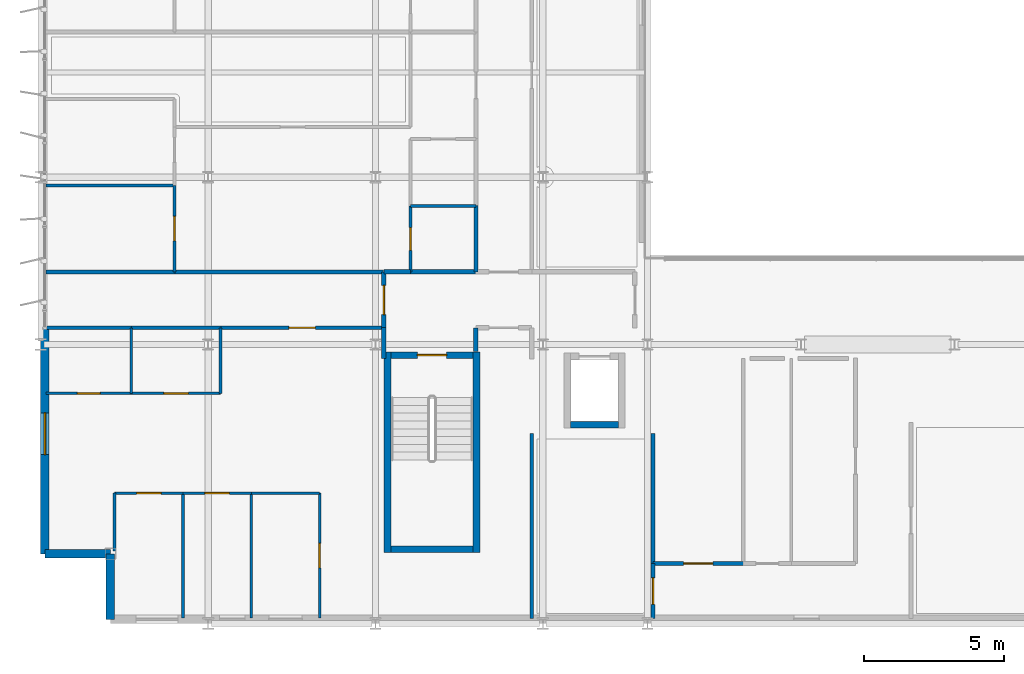
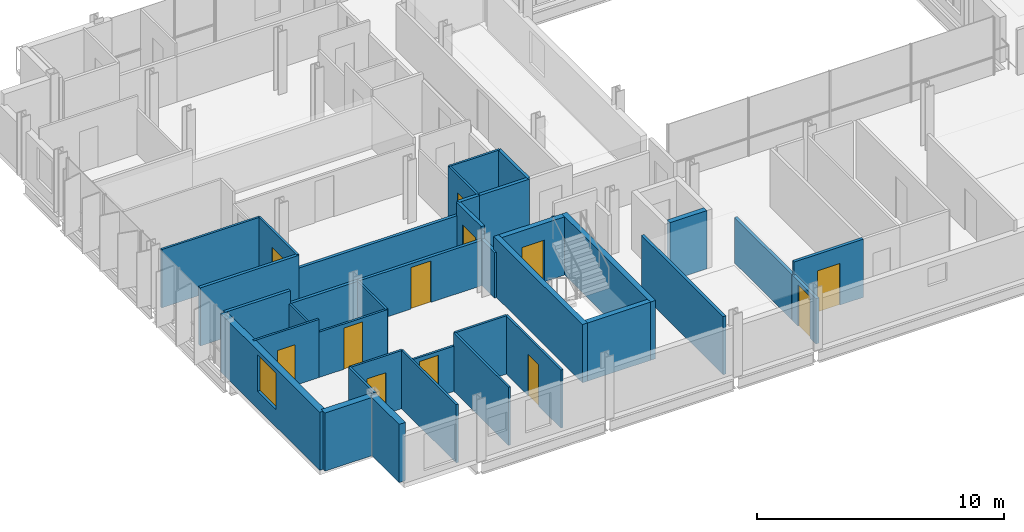
# One storey, part 29 of 40: 38 walls, 12 doors, 1 window, 13 openings.
"""IFC4 building model written with IfcOpenShell, lengths in metres."""

from ifc_helpers import new_model, si_unit, direction, frame, frame_2d, origin, place, context, subcontext, project, spatial, rectangle, extrude, material, layer, layer_set, type_object, element, fill, save


model = new_model("IFC4")

# Units and contexts
model_context = context("Model", 3, precision=1e-05, world=origin(), true_north=direction((0.0, 1.0)))
body_context = subcontext(model_context, "Body", "Model", "MODEL_VIEW")
ifc_project = project(units=[si_unit("LENGTHUNIT", "METRE"), si_unit("AREAUNIT", "SQUARE_METRE"), si_unit("VOLUMEUNIT", "CUBIC_METRE"), si_unit("PLANEANGLEUNIT", "RADIAN"), si_unit("MASSUNIT", "GRAM", prefix="KILO")], contexts=[model_context])

# Site, building, storey
site_placement = place(None, origin())
site = spatial("IfcSite", under=ifc_project, at=site_placement, CompositionType="ELEMENT")
building_placement = place(site_placement, origin())
building = spatial("IfcBuilding", under=site, at=building_placement, Name="Brevholm Reach", CompositionType="ELEMENT")
storey_placement = place(building_placement, frame((0.0, 0.0, 160.39990234375)))
storey = spatial("IfcBuildingStorey", under=building, at=storey_placement, Name="L48", CompositionType="ELEMENT", Elevation=160.39990234375)

# Walls
ifc_material_1 = material(Name="Concrete C45/55", Category="concrete")
ifc_layer_1 = layer(ifc_material_1, 0.239990234375)
ifc_layer_set_1 = layer_set([ifc_layer_1], Name="Concrete C45/55")
wall_type_1 = type_object("IfcWallType", Name="WAL-COR-240", PredefinedType="SHEAR", material=ifc_layer_set_1)
for number, where, z_axis, x_axis, name in (
    (1, (12.429931640625, 2.5400390625, 0.0), (0.0, 0.0, 1.0), (0.0, 1.0, 0.0), "L48 Escape Stair ST-1 Core Wall W"),
    (2, (15.6201171875, 2.5400390625, 0.0), (0.0, 0.0, 1.0), (0.0, 1.0, 0.0), "L48 Escape Stair ST-1 Core Wall E"),
):
    element("IfcWall", number, at=place(storey_placement, frame(where, z_axis=z_axis, x_axis=x_axis)), inside=storey, type_object=wall_type_1, Name=name, PredefinedType="SHEAR", context=body_context, shape_type="SweptSolid", body=[
        extrude(rectangle(XDim=7.199951171875, YDim=0.239990234375, at=frame_2d((3.60009765625, 0.0))), origin(), (0.0, 0.0, 1.0), 2.880126953125),
    ])
wall_1_placement = place(storey_placement, frame((12.550048828125, 2.659912109375, 0.0), z_axis=(0.0, 0.0, 1.0), x_axis=(1.0, 0.0, 0.0)))
element("IfcWall", 3, at=wall_1_placement, inside=storey, type_object=wall_type_1, Name="L48 Escape Stair ST-1 Core Wall S", PredefinedType="SHEAR", context=body_context, shape_type="SweptSolid", body=[
    extrude(rectangle(XDim=2.949951171875, YDim=0.239990234375, at=frame_2d((1.47509765625, 0.0))), origin(), (0.0, 0.0, 1.0), 2.880126953125),
])

# Wall, opening, door
wall_2_placement = place(storey_placement, frame((15.5, 9.6201171875, 0.0), z_axis=(0.0, 0.0, 1.0), x_axis=(-1.0, 0.0, 0.0)))
wall_2 = element("IfcWall", 4, at=wall_2_placement, inside=storey, type_object=wall_type_1, Name="L48 Escape Stair ST-1 Core Wall N", PredefinedType="SHEAR", context=body_context, shape_type="SweptSolid", body=[
    extrude(rectangle(XDim=2.949951171875, YDim=0.239990234375, at=frame_2d((1.47509765625, 0.0))), origin(), (0.0, 0.0, 1.0), 2.880126953125),
])
opening_1_placement = place(wall_2_placement, frame((0.949951171875, 0.0, 0.0)))
opening_1 = element("IfcOpeningElement", 5, at=opening_1_placement, cuts=wall_2, Name="Opening SD-ST-1", PredefinedType="OPENING", context=body_context, shape_type="SweptSolid", body=[
    extrude(rectangle(XDim=1.050048828125, YDim=2.06005859375, at=frame_2d((0.52490234375, 1.030029296875))), frame((0.0, 0.1298828125, 0.0), z_axis=(0.0, -1.0, 0.0), x_axis=(1.0, 0.0, 0.0)), (0.0, 0.0, 1.0), 0.260009765625),
])
ifc_material_2 = material(Name="Hardwood-Lipped Steel-Core Fire and Smoke Door", Category="steel")
door_type_1 = type_object("IfcDoorType", Name="DOR-INT-FD60S", OperationType="NOTDEFINED", PredefinedType="DOOR", material=ifc_material_2)
door_1_placement = place(opening_1_placement, origin())
door_1 = element("IfcDoor", 6, at=door_1_placement, inside=storey, type_object=door_type_1, Name="L48 Protected Stair ST-1 Lobby Door", OperationType="SINGLE_SWING_RIGHT", OverallHeight=2.06005859375, OverallWidth=1.050048828125, PredefinedType="DOOR", context=body_context, shape_type="SweptSolid", body=[
    extrude(rectangle(XDim=1.050048828125, YDim=2.06005859375, at=frame_2d((0.52490234375, 1.030029296875))), frame((0.0, 0.02490234375, 0.0), z_axis=(0.0, -1.0, 0.0), x_axis=(1.0, 0.0, 0.0)), (0.0, 0.0, 1.0), 0.050048828125),
])
fill(opening_1, door_1)

# Walls
wall_3_placement = place(storey_placement, frame((18.989990234375, 7.1201171875, 0.0), z_axis=(0.0, 0.0, 1.0), x_axis=(1.0, 0.0, 0.0)))
element("IfcWall", 7, at=wall_3_placement, inside=storey, type_object=wall_type_1, Name="L48 Lift FFL-1 Shaft Wall S", PredefinedType="SHEAR", context=body_context, shape_type="SweptSolid", body=[
    extrude(rectangle(XDim=1.719970703125, YDim=0.239990234375, at=frame_2d((0.85986328125, 0.0))), origin(), (0.0, 0.0, 1.0), 2.880126953125),
])
ifc_material_3 = material(Name="Concrete C40/50", Category="concrete")
ifc_layer_2 = layer(ifc_material_3, 0.300048828125)
ifc_layer_set_2 = layer_set([ifc_layer_2], Name="Concrete C40/50")
wall_type_2 = type_object("IfcWallType", Name="WAL-EXT-300", PredefinedType="STANDARD", material=ifc_layer_set_2)
for number, where, z_axis, x_axis, name in (
    (8, (2.5, 2.5, 0.0), (0.0, 0.0, 1.0), (0.0, -1.0, 0.0), "L48 Facade Wall WAL-L48-CSW1"),
    (9, (0.14990234375, 2.5, 0.0), (0.0, 0.0, 1.0), (1.0, 0.0, 0.0), "L48 Facade Wall WAL-L48-CSW2"),
):
    element("IfcWall", number, at=place(storey_placement, frame(where, z_axis=z_axis, x_axis=x_axis)), inside=storey, type_object=wall_type_2, Name=name, PredefinedType="STANDARD", context=body_context, shape_type="SweptSolid", body=[
        extrude(rectangle(XDim=2.35009765625, YDim=0.300048828125, at=frame_2d((1.175048828125, 0.0))), origin(), (0.0, 0.0, 1.0), 2.880126953125),
    ])

# Wall, opening, window
wall_4_placement = place(storey_placement, frame((0.14990234375, 10.550048828125, 0.0), z_axis=(0.0, 0.0, 1.0), x_axis=(0.0, -1.0, 0.0)))
wall_4 = element("IfcWall", 10, at=wall_4_placement, inside=storey, type_object=wall_type_2, Name="L48 Facade Wall WAL-L48-W-S", PredefinedType="STANDARD", context=body_context, shape_type="SweptSolid", body=[
    extrude(rectangle(XDim=8.050048828125, YDim=0.300048828125, at=frame_2d((4.02490234375, 0.0))), origin(), (0.0, 0.0, 1.0), 2.880126953125),
])
opening_2_placement = place(wall_4_placement, frame((3.0, 0.0, 0.860107421875)))
opening_2 = element("IfcOpeningElement", 11, at=opening_2_placement, cuts=wall_4, Name="Opening WN-05", PredefinedType="OPENING", context=body_context, shape_type="SweptSolid", body=[
    extrude(rectangle(XDim=1.5, YDim=1.800048828125, at=frame_2d((0.75, 0.89990234375))), frame((0.0, 0.159912109375, 0.0), z_axis=(0.0, -1.0, 0.0), x_axis=(1.0, 0.0, 0.0)), (0.0, 0.0, 1.0), 0.320068359375),
])
ifc_material_4 = material(Name="Dark Anodised Aluminium and Solar-Control IGU Glass", Category="aluminium")
window_type = type_object("IfcWindowType", Name="WIN-RES-1500", PartitioningType="SINGLE_PANEL", PredefinedType="WINDOW", material=ifc_material_4)
window_placement = place(opening_2_placement, origin())
window = element("IfcWindow", 12, at=window_placement, inside=storey, type_object=window_type, Name="L48 Window WIN-L48-WS-1", OverallHeight=1.800048828125, OverallWidth=1.5, PartitioningType="SINGLE_PANEL", PredefinedType="WINDOW", context=body_context, shape_type="SweptSolid", body=[
    extrude(rectangle(XDim=1.5, YDim=1.800048828125, at=frame_2d((0.75, 0.89990234375))), frame((0.0, 0.030029296875, 0.0), z_axis=(0.0, -1.0, 0.0), x_axis=(1.0, 0.0, 0.0)), (0.0, 0.0, 1.0), 0.06005859375),
])
fill(opening_2, window)

# Wall
ifc_material_5 = material(Name="Moisture-Resistant Acoustic Gypsum Stud Partition 100 mm", Category="gypsum")
ifc_layer_3 = layer(ifc_material_5, 0.10009765625)
ifc_layer_set_3 = layer_set([ifc_layer_3], Name="Moisture-Resistant Acoustic Gypsum Stud Partition 100 mm")
wall_type_3 = type_object("IfcWallType", Name="WAL-PRT-100", PredefinedType="PARTITIONING", material=ifc_layer_set_3)
wall_5_placement = place(storey_placement, frame((3.25, 8.25, 0.0), z_axis=(0.0, 0.0, 1.0), x_axis=(0.0, 1.0, 0.0)))
element("IfcWall", 13, at=wall_5_placement, inside=storey, type_object=wall_type_3, Name="L48 Internal Partition 068", PredefinedType="PARTITIONING", context=body_context, shape_type="SweptSolid", body=[
    extrude(rectangle(XDim=2.345947265625, YDim=0.10009765625, at=frame_2d((1.1728515625, 0.0))), origin(), (0.0, 0.0, 1.0), 2.242919921875),
])

# Wall, opening, door
wall_6_placement = place(storey_placement, frame((0.199951171875, 8.25, 0.0), z_axis=(0.0, 0.0, 1.0), x_axis=(1.0, 0.0, 0.0)))
wall_6 = element("IfcWall", 14, at=wall_6_placement, inside=storey, type_object=wall_type_3, Name="L48 Internal Partition 069", PredefinedType="PARTITIONING", context=body_context, shape_type="SweptSolid", body=[
    extrude(rectangle(XDim=3.050048828125, YDim=0.10009765625, at=frame_2d((1.52490234375, 0.0))), origin(), (0.0, 0.0, 1.0), 2.880126953125),
])
opening_3_placement = place(wall_6_placement, frame((1.114990234375, 0.0, 0.0)))
opening_3 = element("IfcOpeningElement", 15, at=opening_3_placement, cuts=wall_6, Name="Opening ID-03", PredefinedType="OPENING", context=body_context, shape_type="SweptSolid", body=[
    extrude(rectangle(XDim=0.820068359375, YDim=2.02001953125, at=frame_2d((0.41015625, 1.010009765625))), frame((0.0, 0.06005859375, 0.0), z_axis=(0.0, -1.0, 0.0), x_axis=(1.0, 0.0, 0.0)), (0.0, 0.0, 1.0), 0.1201171875),
])
ifc_material_6 = material(Name="Moisture-Resistant Painted Timber Internal Bathroom Door", Category="wood")
door_type_2 = type_object("IfcDoorType", Name="DOR-BATH-820", OperationType="NOTDEFINED", PredefinedType="DOOR", material=ifc_material_6)
door_2_placement = place(opening_3_placement, origin())
door_2 = element("IfcDoor", 16, at=door_2_placement, inside=storey, type_object=door_type_2, Name="L48 Internal Door 031", OperationType="SINGLE_SWING_RIGHT", OverallHeight=2.02001953125, OverallWidth=0.820068359375, PredefinedType="DOOR", context=body_context, shape_type="SweptSolid", body=[
    extrude(rectangle(XDim=0.820068359375, YDim=2.02001953125, at=frame_2d((0.41015625, 1.010009765625))), frame((0.0, 0.02490234375, 0.0), z_axis=(0.0, -1.0, 0.0), x_axis=(1.0, 0.0, 0.0)), (0.0, 0.0, 1.0), 0.050048828125),
])
fill(opening_3, door_2)

wall_7_placement = place(storey_placement, frame((3.25390625, 8.25, 0.0), z_axis=(0.0, 0.0, 1.0), x_axis=(1.0, 0.0, 0.0)))
wall_7 = element("IfcWall", 17, at=wall_7_placement, inside=storey, type_object=wall_type_3, Name="L48 Internal Partition 070", PredefinedType="PARTITIONING", context=body_context, shape_type="SweptSolid", body=[
    extrude(rectangle(XDim=3.196044921875, YDim=0.10009765625, at=frame_2d((1.59814453125, 0.0))), origin(), (0.0, 0.0, 1.0), 2.242919921875),
])
opening_4_placement = place(wall_7_placement, frame((1.157958984375, 0.0, 0.0)))
opening_4 = element("IfcOpeningElement", 18, at=opening_4_placement, cuts=wall_7, Name="Opening ID-01", PredefinedType="OPENING", context=body_context, shape_type="SweptSolid", body=[
    extrude(rectangle(XDim=0.8798828125, YDim=2.0400390625, at=frame_2d((0.43994140625, 1.02001953125))), frame((0.0, 0.06005859375, 0.0), z_axis=(0.0, -1.0, 0.0), x_axis=(1.0, 0.0, 0.0)), (0.0, 0.0, 1.0), 0.1201171875),
])
ifc_material_7 = material(Name="Lacquered Ash Solid-Core Acoustic Internal Door", Category="timber")
door_type_3 = type_object("IfcDoorType", Name="DOR-INT-880", OperationType="NOTDEFINED", PredefinedType="DOOR", material=ifc_material_7)
door_3_placement = place(opening_4_placement, origin())
door_3 = element("IfcDoor", 19, at=door_3_placement, inside=storey, type_object=door_type_3, Name="L48 Internal Door 032", OperationType="SINGLE_SWING_LEFT", OverallHeight=2.0400390625, OverallWidth=0.8798828125, PredefinedType="DOOR", context=body_context, shape_type="SweptSolid", body=[
    extrude(rectangle(XDim=0.8798828125, YDim=2.0400390625, at=frame_2d((0.43994140625, 1.02001953125))), frame((0.0, 0.02490234375, 0.0), z_axis=(0.0, -1.0, 0.0), x_axis=(1.0, 0.0, 0.0)), (0.0, 0.0, 1.0), 0.050048828125),
])
fill(opening_4, door_3)

# Walls
wall_8_placement = place(storey_placement, frame((6.449951171875, 8.25, 0.0), z_axis=(0.0, 0.0, 1.0), x_axis=(0.0, 1.0, 0.0)))
element("IfcWall", 20, at=wall_8_placement, inside=storey, type_object=wall_type_3, Name="L48 Internal Partition 071", PredefinedType="PARTITIONING", context=body_context, shape_type="SweptSolid", body=[
    extrude(rectangle(XDim=2.345947265625, YDim=0.10009765625, at=frame_2d((1.1728515625, 0.0))), origin(), (0.0, 0.0, 1.0), 2.242919921875),
])
wall_9_placement = place(storey_placement, frame((5.10009765625, 0.199951171875, 0.0), z_axis=(0.0, 0.0, 1.0), x_axis=(0.0, 1.0, 0.0)))
element("IfcWall", 21, at=wall_9_placement, inside=storey, type_object=wall_type_3, Name="L48 Internal Partition 072", PredefinedType="PARTITIONING", context=body_context, shape_type="SweptSolid", body=[
    extrude(rectangle(XDim=4.47216796875, YDim=0.10009765625, at=frame_2d((2.236083984375, 0.0))), origin(), (0.0, 0.0, 1.0), 2.880126953125),
])
wall_10_placement = place(storey_placement, frame((2.64990234375, 2.599365234375, 0.0), z_axis=(0.0, 0.0, 1.0), x_axis=(0.0, 1.0, 0.0)))
element("IfcWall", 22, at=wall_10_placement, inside=storey, type_object=wall_type_3, Name="L48 Internal Partition 073", PredefinedType="PARTITIONING", context=body_context, shape_type="SweptSolid", body=[
    extrude(rectangle(XDim=2.07275390625, YDim=0.10009765625, at=frame_2d((1.036376953125, 0.0))), origin(), (0.0, 0.0, 1.0), 2.880126953125),
])

# Wall, opening, door
wall_11_placement = place(storey_placement, frame((2.64990234375, 4.672119140625, 0.0), z_axis=(0.0, 0.0, 1.0), x_axis=(1.0, 0.0, 0.0)))
wall_11 = element("IfcWall", 23, at=wall_11_placement, inside=storey, type_object=wall_type_3, Name="L48 Internal Partition 074", PredefinedType="PARTITIONING", context=body_context, shape_type="SweptSolid", body=[
    extrude(rectangle(XDim=2.4501953125, YDim=0.10009765625, at=frame_2d((1.22509765625, 0.0))), origin(), (0.0, 0.0, 1.0), 2.880126953125),
])
opening_5_placement = place(wall_11_placement, frame((0.784912109375, 0.0, 0.0)))
opening_5 = element("IfcOpeningElement", 24, at=opening_5_placement, cuts=wall_11, Name="Opening ID-01", PredefinedType="OPENING", context=body_context, shape_type="SweptSolid", body=[
    extrude(rectangle(XDim=0.8798828125, YDim=2.0400390625, at=frame_2d((0.43994140625, 1.02001953125))), frame((0.0, 0.06005859375, 0.0), z_axis=(0.0, -1.0, 0.0), x_axis=(1.0, 0.0, 0.0)), (0.0, 0.0, 1.0), 0.1201171875),
])
door_4_placement = place(opening_5_placement, origin())
door_4 = element("IfcDoor", 25, at=door_4_placement, inside=storey, type_object=door_type_3, Name="L48 Internal Door 033", OperationType="SINGLE_SWING_RIGHT", OverallHeight=2.0400390625, OverallWidth=0.8798828125, PredefinedType="DOOR", context=body_context, shape_type="SweptSolid", body=[
    extrude(rectangle(XDim=0.8798828125, YDim=2.0400390625, at=frame_2d((0.43994140625, 1.02001953125))), frame((0.0, 0.02490234375, 0.0), z_axis=(0.0, -1.0, 0.0), x_axis=(1.0, 0.0, 0.0)), (0.0, 0.0, 1.0), 0.050048828125),
])
fill(opening_5, door_4)

# Wall
wall_12_placement = place(storey_placement, frame((7.550048828125, 0.199951171875, 0.0), z_axis=(0.0, 0.0, 1.0), x_axis=(0.0, 1.0, 0.0)))
element("IfcWall", 26, at=wall_12_placement, inside=storey, type_object=wall_type_3, Name="L48 Internal Partition 075", PredefinedType="PARTITIONING", context=body_context, shape_type="SweptSolid", body=[
    extrude(rectangle(XDim=4.47216796875, YDim=0.10009765625, at=frame_2d((2.236083984375, 0.0))), origin(), (0.0, 0.0, 1.0), 2.880126953125),
])

# Wall, opening, door
wall_13_placement = place(storey_placement, frame((5.10400390625, 4.672119140625, 0.0), z_axis=(0.0, 0.0, 1.0), x_axis=(1.0, 0.0, 0.0)))
wall_13 = element("IfcWall", 27, at=wall_13_placement, inside=storey, type_object=wall_type_3, Name="L48 Internal Partition 076", PredefinedType="PARTITIONING", context=body_context, shape_type="SweptSolid", body=[
    extrude(rectangle(XDim=2.446044921875, YDim=0.10009765625, at=frame_2d((1.22314453125, 0.0))), origin(), (0.0, 0.0, 1.0), 2.242919921875),
])
opening_6_placement = place(wall_13_placement, frame((0.782958984375, 0.0, 0.0)))
opening_6 = element("IfcOpeningElement", 28, at=opening_6_placement, cuts=wall_13, Name="Opening ID-01", PredefinedType="OPENING", context=body_context, shape_type="SweptSolid", body=[
    extrude(rectangle(XDim=0.8798828125, YDim=2.0400390625, at=frame_2d((0.43994140625, 1.02001953125))), frame((0.0, 0.06005859375, 0.0), z_axis=(0.0, -1.0, 0.0), x_axis=(1.0, 0.0, 0.0)), (0.0, 0.0, 1.0), 0.1201171875),
])
door_5_placement = place(opening_6_placement, origin())
door_5 = element("IfcDoor", 29, at=door_5_placement, inside=storey, type_object=door_type_3, Name="L48 Internal Door 034", OperationType="SINGLE_SWING_LEFT", OverallHeight=2.0400390625, OverallWidth=0.8798828125, PredefinedType="DOOR", context=body_context, shape_type="SweptSolid", body=[
    extrude(rectangle(XDim=0.8798828125, YDim=2.0400390625, at=frame_2d((0.43994140625, 1.02001953125))), frame((0.0, 0.02490234375, 0.0), z_axis=(0.0, -1.0, 0.0), x_axis=(1.0, 0.0, 0.0)), (0.0, 0.0, 1.0), 0.050048828125),
])
fill(opening_6, door_5)

wall_14_placement = place(storey_placement, frame((10.0, 0.199951171875, 0.0), z_axis=(0.0, 0.0, 1.0), x_axis=(0.0, 1.0, 0.0)))
wall_14 = element("IfcWall", 30, at=wall_14_placement, inside=storey, type_object=wall_type_3, Name="L48 Internal Partition 077", PredefinedType="PARTITIONING", context=body_context, shape_type="SweptSolid", body=[
    extrude(rectangle(XDim=4.47216796875, YDim=0.10009765625, at=frame_2d((2.236083984375, 0.0))), origin(), (0.0, 0.0, 1.0), 2.880126953125),
])
opening_7_placement = place(wall_14_placement, frame((1.7958984375, 0.0, 0.0)))
opening_7 = element("IfcOpeningElement", 31, at=opening_7_placement, cuts=wall_14, Name="Opening ID-01", PredefinedType="OPENING", context=body_context, shape_type="SweptSolid", body=[
    extrude(rectangle(XDim=0.8798828125, YDim=2.0400390625, at=frame_2d((0.43994140625, 1.02001953125))), frame((0.0, 0.06005859375, 0.0), z_axis=(0.0, -1.0, 0.0), x_axis=(1.0, 0.0, 0.0)), (0.0, 0.0, 1.0), 0.1201171875),
])
door_6_placement = place(opening_7_placement, origin())
door_6 = element("IfcDoor", 32, at=door_6_placement, inside=storey, type_object=door_type_3, Name="L48 Internal Door 035", OperationType="SINGLE_SWING_RIGHT", OverallHeight=2.0400390625, OverallWidth=0.8798828125, PredefinedType="DOOR", context=body_context, shape_type="SweptSolid", body=[
    extrude(rectangle(XDim=0.8798828125, YDim=2.0400390625, at=frame_2d((0.43994140625, 1.02001953125))), frame((0.0, 0.02490234375, 0.0), z_axis=(0.0, -1.0, 0.0), x_axis=(1.0, 0.0, 0.0)), (0.0, 0.0, 1.0), 0.050048828125),
])
fill(opening_7, door_6)

# Walls
wall_15_placement = place(storey_placement, frame((7.553955078125, 4.672119140625, 0.0), z_axis=(0.0, 0.0, 1.0), x_axis=(1.0, 0.0, 0.0)))
element("IfcWall", 33, at=wall_15_placement, inside=storey, type_object=wall_type_3, Name="L48 Internal Partition 078", PredefinedType="PARTITIONING", context=body_context, shape_type="SweptSolid", body=[
    extrude(rectangle(XDim=2.446044921875, YDim=0.10009765625, at=frame_2d((1.22314453125, 0.0))), origin(), (0.0, 0.0, 1.0), 2.880126953125),
])
wall_16_placement = place(storey_placement, frame((13.25, 14.9619140625, 0.0), z_axis=(0.0, 0.0, 1.0), x_axis=(1.0, 0.0, 0.0)))
element("IfcWall", 34, at=wall_16_placement, inside=storey, type_object=wall_type_3, Name="L48 Internal Partition 079", PredefinedType="PARTITIONING", context=body_context, shape_type="SweptSolid", body=[
    extrude(rectangle(XDim=2.345947265625, YDim=0.10009765625, at=frame_2d((1.1728515625, 0.0))), origin(), (0.0, 0.0, 1.0), 2.880126953125),
])

# Wall, opening, door
wall_17_placement = place(storey_placement, frame((13.25, 12.60400390625, 0.0), z_axis=(0.0, 0.0, 1.0), x_axis=(0.0, 1.0, 0.0)))
wall_17 = element("IfcWall", 35, at=wall_17_placement, inside=storey, type_object=wall_type_3, Name="L48 Internal Partition 080", PredefinedType="PARTITIONING", context=body_context, shape_type="SweptSolid", body=[
    extrude(rectangle(XDim=2.35791015625, YDim=0.10009765625, at=frame_2d((1.178955078125, 0.0))), origin(), (0.0, 0.0, 1.0), 2.880126953125),
])
opening_8_placement = place(wall_17_placement, frame((0.76904296875, 0.0, 0.0)))
opening_8 = element("IfcOpeningElement", 36, at=opening_8_placement, cuts=wall_17, Name="Opening ID-03", PredefinedType="OPENING", context=body_context, shape_type="SweptSolid", body=[
    extrude(rectangle(XDim=0.820068359375, YDim=2.02001953125, at=frame_2d((0.41015625, 1.010009765625))), frame((0.0, 0.06005859375, 0.0), z_axis=(0.0, -1.0, 0.0), x_axis=(1.0, 0.0, 0.0)), (0.0, 0.0, 1.0), 0.1201171875),
])
door_7_placement = place(opening_8_placement, origin())
door_7 = element("IfcDoor", 37, at=door_7_placement, inside=storey, type_object=door_type_2, Name="L48 Internal Door 036", OperationType="SINGLE_SWING_LEFT", OverallHeight=2.02001953125, OverallWidth=0.820068359375, PredefinedType="DOOR", context=body_context, shape_type="SweptSolid", body=[
    extrude(rectangle(XDim=0.820068359375, YDim=2.02001953125, at=frame_2d((0.41015625, 1.010009765625))), frame((0.0, 0.02490234375, 0.0), z_axis=(0.0, -1.0, 0.0), x_axis=(1.0, 0.0, 0.0)), (0.0, 0.0, 1.0), 0.050048828125),
])
fill(opening_8, door_7)

# Wall
wall_18_placement = place(storey_placement, frame((0.199951171875, 15.699951171875, 0.0), z_axis=(0.0, 0.0, 1.0), x_axis=(1.0, 0.0, 0.0)))
element("IfcWall", 38, at=wall_18_placement, inside=storey, type_object=wall_type_3, Name="L48 Internal Partition 083", PredefinedType="PARTITIONING", context=body_context, shape_type="SweptSolid", body=[
    extrude(rectangle(XDim=4.60009765625, YDim=0.10009765625, at=frame_2d((2.300048828125, 0.0))), origin(), (0.0, 0.0, 1.0), 2.880126953125),
])

# Wall, opening, door
wall_19_placement = place(storey_placement, frame((4.800048828125, 12.60400390625, 0.0), z_axis=(0.0, 0.0, 1.0), x_axis=(0.0, 1.0, 0.0)))
wall_19 = element("IfcWall", 39, at=wall_19_placement, inside=storey, type_object=wall_type_3, Name="L48 Internal Partition 084", PredefinedType="PARTITIONING", context=body_context, shape_type="SweptSolid", body=[
    extrude(rectangle(XDim=3.095947265625, YDim=0.10009765625, at=frame_2d((1.5478515625, 0.0))), origin(), (0.0, 0.0, 1.0), 2.880126953125),
])
opening_9_placement = place(wall_19_placement, frame((1.10791015625, 0.0, 0.0)))
opening_9 = element("IfcOpeningElement", 40, at=opening_9_placement, cuts=wall_19, Name="Opening ID-01", PredefinedType="OPENING", context=body_context, shape_type="SweptSolid", body=[
    extrude(rectangle(XDim=0.8798828125, YDim=2.0400390625, at=frame_2d((0.43994140625, 1.02001953125))), frame((0.0, 0.06005859375, 0.0), z_axis=(0.0, -1.0, 0.0), x_axis=(1.0, 0.0, 0.0)), (0.0, 0.0, 1.0), 0.1201171875),
])
door_8_placement = place(opening_9_placement, origin())
door_8 = element("IfcDoor", 41, at=door_8_placement, inside=storey, type_object=door_type_3, Name="L48 Internal Door 038", OperationType="SINGLE_SWING_LEFT", OverallHeight=2.0400390625, OverallWidth=0.8798828125, PredefinedType="DOOR", context=body_context, shape_type="SweptSolid", body=[
    extrude(rectangle(XDim=0.8798828125, YDim=2.0400390625, at=frame_2d((0.43994140625, 1.02001953125))), frame((0.0, 0.02490234375, 0.0), z_axis=(0.0, -1.0, 0.0), x_axis=(1.0, 0.0, 0.0)), (0.0, 0.0, 1.0), 0.050048828125),
])
fill(opening_9, door_8)

ifc_material_8 = material(Name="Twin-Stud Acoustic Fire-Rated Gypsum Partition 140 mm", Category="gypsum")
ifc_layer_4 = layer(ifc_material_8, 0.139892578125)
ifc_layer_set_4 = layer_set([ifc_layer_4], Name="Twin-Stud Acoustic Fire-Rated Gypsum Partition 140 mm")
wall_type_4 = type_object("IfcWallType", Name="WAL-PRT-140", PredefinedType="PARTITIONING", material=ifc_layer_set_4)
wall_20_placement = place(storey_placement, frame((21.949951171875, 2.14990234375, 0.0), z_axis=(0.0, 0.0, 1.0), x_axis=(1.0, 0.0, 0.0)))
wall_20 = element("IfcWall", 42, at=wall_20_placement, inside=storey, type_object=wall_type_4, Name="L48 Internal Partition 003", PredefinedType="PARTITIONING", context=body_context, shape_type="SweptSolid", body=[
    extrude(rectangle(XDim=3.241455078125, YDim=0.139892578125, at=frame_2d((1.62060546875, 0.0))), origin(), (0.0, 0.0, 1.0), 2.880126953125),
])
opening_10_placement = place(wall_20_placement, frame((1.095703125, 0.0, 0.0)))
opening_10 = element("IfcOpeningElement", 43, at=opening_10_placement, cuts=wall_20, Name="Opening FD-01", PredefinedType="OPENING", context=body_context, shape_type="SweptSolid", body=[
    extrude(rectangle(XDim=1.050048828125, YDim=2.06005859375, at=frame_2d((0.52490234375, 1.030029296875))), frame((0.0, 0.079833984375, 0.0), z_axis=(0.0, -1.0, 0.0), x_axis=(1.0, 0.0, 0.0)), (0.0, 0.0, 1.0), 0.159912109375),
])
door_9_placement = place(opening_10_placement, origin())
door_9 = element("IfcDoor", 44, at=door_9_placement, inside=storey, type_object=door_type_1, Name="L48 Internal Door 003", OperationType="SINGLE_SWING_RIGHT", OverallHeight=2.06005859375, OverallWidth=1.050048828125, PredefinedType="DOOR", context=body_context, shape_type="SweptSolid", body=[
    extrude(rectangle(XDim=1.050048828125, YDim=2.06005859375, at=frame_2d((0.52490234375, 1.030029296875))), frame((0.0, 0.02490234375, 0.0), z_axis=(0.0, -1.0, 0.0), x_axis=(1.0, 0.0, 0.0)), (0.0, 0.0, 1.0), 0.050048828125),
])
fill(opening_10, door_9)

wall_21_placement = place(storey_placement, frame((21.949951171875, 0.179931640625, 0.0), z_axis=(0.0, 0.0, 1.0), x_axis=(0.0, 1.0, 0.0)))
wall_21 = element("IfcWall", 45, at=wall_21_placement, inside=storey, type_object=wall_type_4, Name="L48 Internal Partition 006", PredefinedType="PARTITIONING", context=body_context, shape_type="SweptSolid", body=[
    extrude(rectangle(XDim=1.969970703125, YDim=0.139892578125, at=frame_2d((0.98486328125, 0.0))), origin(), (0.0, 0.0, 1.0), 2.242919921875),
])
opening_11_placement = place(wall_21_placement, frame((0.510009765625, 0.0, 0.0)))
opening_11 = element("IfcOpeningElement", 46, at=opening_11_placement, cuts=wall_21, Name="Opening ID-30", PredefinedType="OPENING", context=body_context, shape_type="SweptSolid", body=[
    extrude(rectangle(XDim=0.949951171875, YDim=2.050048828125, at=frame_2d((0.47509765625, 1.02490234375))), frame((0.0, 0.079833984375, 0.0), z_axis=(0.0, -1.0, 0.0), x_axis=(1.0, 0.0, 0.0)), (0.0, 0.0, 1.0), 0.159912109375),
])
ifc_material_9 = material(Name="European Oak Veneered Solid-Core Fire Entrance Door", Category="timber")
door_type_4 = type_object("IfcDoorType", Name="DOR-FLT-FD30S", OperationType="NOTDEFINED", PredefinedType="DOOR", material=ifc_material_9)
door_10_placement = place(opening_11_placement, origin())
door_10 = element("IfcDoor", 47, at=door_10_placement, inside=storey, type_object=door_type_4, Name="L48 Internal Door 005", OperationType="SINGLE_SWING_RIGHT", OverallHeight=2.050048828125, OverallWidth=0.949951171875, PredefinedType="DOOR", context=body_context, shape_type="SweptSolid", body=[
    extrude(rectangle(XDim=0.949951171875, YDim=2.050048828125, at=frame_2d((0.47509765625, 1.02490234375))), frame((0.0, 0.02490234375, 0.0), z_axis=(0.0, -1.0, 0.0), x_axis=(1.0, 0.0, 0.0)), (0.0, 0.0, 1.0), 0.050048828125),
])
fill(opening_11, door_10)

# Walls
wall_22_placement = place(storey_placement, frame((21.949951171875, 2.154052734375, 0.0), z_axis=(0.0, 0.0, 1.0), x_axis=(0.0, 1.0, 0.0)))
element("IfcWall", 48, at=wall_22_placement, inside=storey, type_object=wall_type_4, Name="L48 Internal Partition 008", PredefinedType="PARTITIONING", context=body_context, shape_type="SweptSolid", body=[
    extrude(rectangle(XDim=4.6572265625, YDim=0.139892578125, at=frame_2d((2.32861328125, 0.0))), origin(), (0.0, 0.0, 1.0), 2.242919921875),
])
wall_23_placement = place(storey_placement, frame((17.60009765625, 0.179931640625, 0.0), z_axis=(0.0, 0.0, 1.0), x_axis=(0.0, 1.0, 0.0)))
element("IfcWall", 49, at=wall_23_placement, inside=storey, type_object=wall_type_4, Name="L48 Internal Partition 014", PredefinedType="PARTITIONING", context=body_context, shape_type="SweptSolid", body=[
    extrude(rectangle(XDim=6.63134765625, YDim=0.139892578125, at=frame_2d((3.315673828125, 0.0))), origin(), (0.0, 0.0, 1.0), 2.880126953125),
])
wall_24_placement = place(storey_placement, frame((15.60009765625, 12.60400390625, 0.0), z_axis=(0.0, 0.0, 1.0), x_axis=(0.0, 1.0, 0.0)))
element("IfcWall", 50, at=wall_24_placement, inside=storey, type_object=wall_type_4, Name="L48 Internal Partition 041", PredefinedType="PARTITIONING", context=body_context, shape_type="SweptSolid", body=[
    extrude(rectangle(XDim=2.369384765625, YDim=0.139892578125, at=frame_2d((1.1845703125, 0.0))), origin(), (0.0, 0.0, 1.0), 2.880126953125),
])
wall_25_placement = place(storey_placement, frame((0.199951171875, 10.60009765625, 0.0), z_axis=(0.0, 0.0, 1.0), x_axis=(1.0, 0.0, 0.0)))
element("IfcWall", 51, at=wall_25_placement, inside=storey, type_object=wall_type_4, Name="L48 Internal Partition 063", PredefinedType="PARTITIONING", context=body_context, shape_type="SweptSolid", body=[
    extrude(rectangle(XDim=3.061279296875, YDim=0.139892578125, at=frame_2d((1.53076171875, 0.0))), origin(), (0.0, 0.0, 1.0), 2.880126953125),
])
wall_26_placement = place(storey_placement, frame((3.24267578125, 10.60009765625, 0.0), z_axis=(0.0, 0.0, 1.0), x_axis=(1.0, 0.0, 0.0)))
element("IfcWall", 52, at=wall_26_placement, inside=storey, type_object=wall_type_4, Name="L48 Internal Partition 064", PredefinedType="PARTITIONING", context=body_context, shape_type="SweptSolid", body=[
    extrude(rectangle(XDim=3.218505859375, YDim=0.139892578125, at=frame_2d((1.609375, 0.0))), origin(), (0.0, 0.0, 1.0), 2.242919921875),
])

# Wall, opening, door
wall_27_placement = place(storey_placement, frame((6.442626953125, 10.60009765625, 0.0), z_axis=(0.0, 0.0, 1.0), x_axis=(1.0, 0.0, 0.0)))
wall_27 = element("IfcWall", 53, at=wall_27_placement, inside=storey, type_object=wall_type_4, Name="L48 Internal Partition 065", PredefinedType="PARTITIONING", context=body_context, shape_type="SweptSolid", body=[
    extrude(rectangle(XDim=5.853271484375, YDim=0.139892578125, at=frame_2d((2.9267578125, 0.0))), origin(), (0.0, 0.0, 1.0), 2.242919921875),
])
opening_12_placement = place(wall_27_placement, frame((2.45166015625, 0.0, 0.0)))
opening_12 = element("IfcOpeningElement", 54, at=opening_12_placement, cuts=wall_27, Name="Opening ID-30", PredefinedType="OPENING", context=body_context, shape_type="SweptSolid", body=[
    extrude(rectangle(XDim=0.949951171875, YDim=2.050048828125, at=frame_2d((0.47509765625, 1.02490234375))), frame((0.0, 0.079833984375, 0.0), z_axis=(0.0, -1.0, 0.0), x_axis=(1.0, 0.0, 0.0)), (0.0, 0.0, 1.0), 0.159912109375),
])
door_11_placement = place(opening_12_placement, origin())
door_11 = element("IfcDoor", 55, at=door_11_placement, inside=storey, type_object=door_type_4, Name="L48 Internal Door 030", OperationType="SINGLE_SWING_LEFT", OverallHeight=2.050048828125, OverallWidth=0.949951171875, PredefinedType="DOOR", context=body_context, shape_type="SweptSolid", body=[
    extrude(rectangle(XDim=0.949951171875, YDim=2.050048828125, at=frame_2d((0.47509765625, 1.02490234375))), frame((0.0, 0.02490234375, 0.0), z_axis=(0.0, -1.0, 0.0), x_axis=(1.0, 0.0, 0.0)), (0.0, 0.0, 1.0), 0.050048828125),
])
fill(opening_12, door_11)

# Walls
wall_28_placement = place(storey_placement, frame((0.199951171875, 12.60009765625, 0.0), z_axis=(0.0, 0.0, 1.0), x_axis=(1.0, 0.0, 0.0)))
element("IfcWall", 56, at=wall_28_placement, inside=storey, type_object=wall_type_4, Name="L48 Internal Partition 066", PredefinedType="PARTITIONING", context=body_context, shape_type="SweptSolid", body=[
    extrude(rectangle(XDim=4.611328125, YDim=0.139892578125, at=frame_2d((2.3056640625, 0.0))), origin(), (0.0, 0.0, 1.0), 2.880126953125),
])
wall_29_placement = place(storey_placement, frame((4.792724609375, 12.60009765625, 0.0), z_axis=(0.0, 0.0, 1.0), x_axis=(1.0, 0.0, 0.0)))
element("IfcWall", 57, at=wall_29_placement, inside=storey, type_object=wall_type_4, Name="L48 Internal Partition 067", PredefinedType="PARTITIONING", context=body_context, shape_type="SweptSolid", body=[
    extrude(rectangle(XDim=7.503173828125, YDim=0.139892578125, at=frame_2d((3.75146484375, 0.0))), origin(), (0.0, 0.0, 1.0), 2.242919921875),
])
ifc_material_10 = material(Name="Twin-Frame Fire-Rated Gypsum Board and Mineral Wool 160 mm", Category="gypsum")
ifc_layer_5 = layer(ifc_material_10, 0.159912109375)
ifc_layer_set_5 = layer_set([ifc_layer_5], Name="Twin-Frame Fire-Rated Gypsum Board and Mineral Wool 160 mm")
wall_type_5 = type_object("IfcWallType", Name="WAL-PRT-160", PredefinedType="PARTITIONING", material=ifc_layer_set_5)
wall_30_placement = place(storey_placement, frame((15.60009765625, 9.75, 0.0), z_axis=(0.0, 0.0, 1.0), x_axis=(0.0, 1.0, 0.0)))
element("IfcWall", 58, at=wall_30_placement, inside=storey, type_object=wall_type_5, Name="L48 Internal Partition 015", PredefinedType="PARTITIONING", context=body_context, shape_type="SweptSolid", body=[
    extrude(rectangle(XDim=0.85009765625, YDim=0.159912109375, at=frame_2d((0.425048828125, 0.0))), origin(), (0.0, 0.0, 1.0), 2.242919921875),
])

# Wall, opening, door
wall_31_placement = place(storey_placement, frame((12.300048828125, 10.588623046875, 0.0), z_axis=(0.0, 0.0, 1.0), x_axis=(0.0, 1.0, 0.0)))
wall_31 = element("IfcWall", 59, at=wall_31_placement, inside=storey, type_object=wall_type_5, Name="L48 Internal Partition 029", PredefinedType="PARTITIONING", context=body_context, shape_type="SweptSolid", body=[
    extrude(rectangle(XDim=2.011474609375, YDim=0.159912109375, at=frame_2d((1.005859375, 0.0))), origin(), (0.0, 0.0, 1.0), 2.880126953125),
])
opening_13_placement = place(wall_31_placement, frame((0.480712890625, 0.0, 0.0)))
opening_13 = element("IfcOpeningElement", 60, at=opening_13_placement, cuts=wall_31, Name="Opening FD-01", PredefinedType="OPENING", context=body_context, shape_type="SweptSolid", body=[
    extrude(rectangle(XDim=1.050048828125, YDim=2.06005859375, at=frame_2d((0.52490234375, 1.030029296875))), frame((0.0, 0.08984375, 0.0), z_axis=(0.0, -1.0, 0.0), x_axis=(1.0, 0.0, 0.0)), (0.0, 0.0, 1.0), 0.179931640625),
])
door_12_placement = place(opening_13_placement, origin())
door_12 = element("IfcDoor", 61, at=door_12_placement, inside=storey, type_object=door_type_1, Name="L48 Internal Door 015", OperationType="SINGLE_SWING_RIGHT", OverallHeight=2.06005859375, OverallWidth=1.050048828125, PredefinedType="DOOR", context=body_context, shape_type="SweptSolid", body=[
    extrude(rectangle(XDim=1.050048828125, YDim=2.06005859375, at=frame_2d((0.52490234375, 1.030029296875))), frame((0.0, 0.02490234375, 0.0), z_axis=(0.0, -1.0, 0.0), x_axis=(1.0, 0.0, 0.0)), (0.0, 0.0, 1.0), 0.050048828125),
])
fill(opening_13, door_12)

# Walls
wall_32_placement = place(storey_placement, frame((12.300048828125, 9.5, 0.0), z_axis=(0.0, 0.0, 1.0), x_axis=(0.0, 1.0, 0.0)))
element("IfcWall", 62, at=wall_32_placement, inside=storey, type_object=wall_type_5, Name="L48 Internal Partition 030", PredefinedType="PARTITIONING", context=body_context, shape_type="SweptSolid", body=[
    extrude(rectangle(XDim=1.107421875, YDim=0.159912109375, at=frame_2d((0.5537109375, 0.0))), origin(), (0.0, 0.0, 1.0), 2.242919921875),
])
wall_33_placement = place(storey_placement, frame((13.23876953125, 12.60009765625, 0.0), z_axis=(0.0, 0.0, 1.0), x_axis=(1.0, 0.0, 0.0)))
element("IfcWall", 63, at=wall_33_placement, inside=storey, type_object=wall_type_5, Name="L48 Internal Partition 031", PredefinedType="PARTITIONING", context=body_context, shape_type="SweptSolid", body=[
    extrude(rectangle(XDim=2.36865234375, YDim=0.159912109375, at=frame_2d((1.184326171875, 0.0))), origin(), (0.0, 0.0, 1.0), 2.880126953125),
])
wall_34_placement = place(storey_placement, frame((12.300048828125, 12.60009765625, 0.0), z_axis=(0.0, 0.0, 1.0), x_axis=(1.0, 0.0, 0.0)))
element("IfcWall", 64, at=wall_34_placement, inside=storey, type_object=wall_type_5, Name="L48 Internal Partition 032", PredefinedType="PARTITIONING", context=body_context, shape_type="SweptSolid", body=[
    extrude(rectangle(XDim=0.957275390625, YDim=0.159912109375, at=frame_2d((0.478515625, 0.0))), origin(), (0.0, 0.0, 1.0), 2.880126953125),
])

save(model, "model.ifc")
